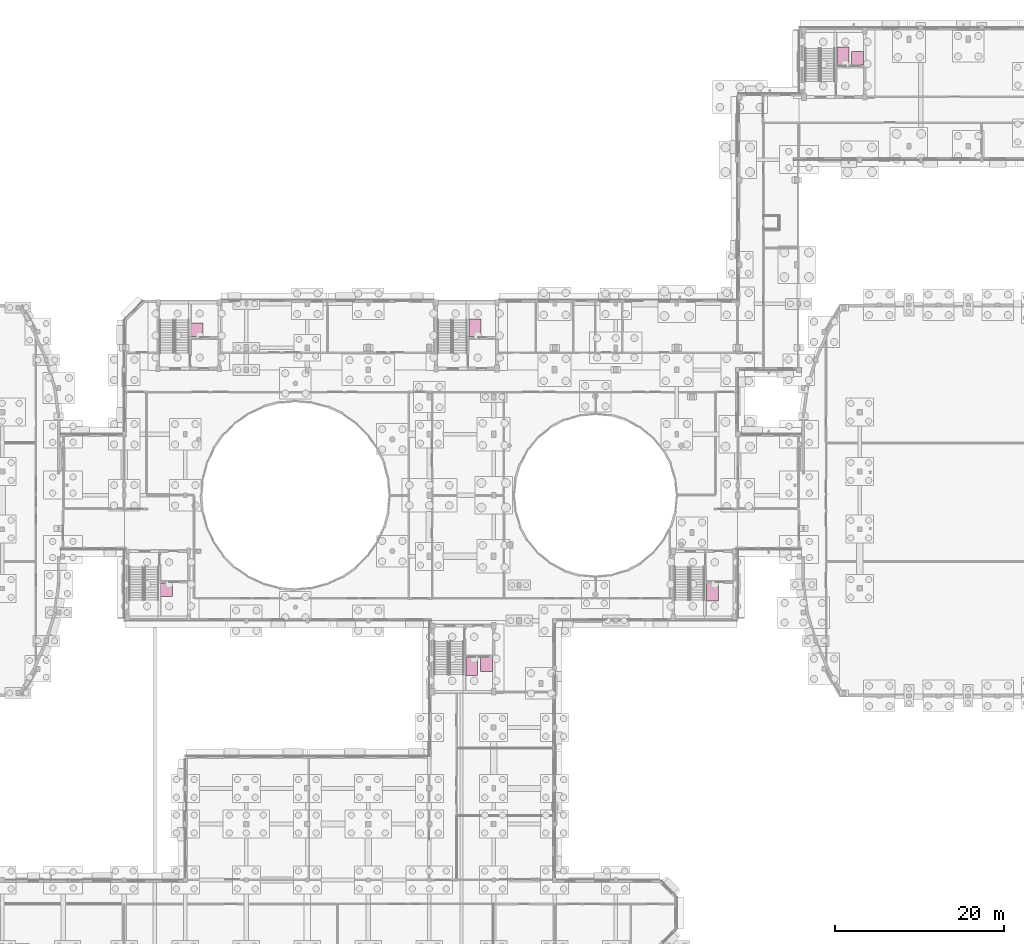
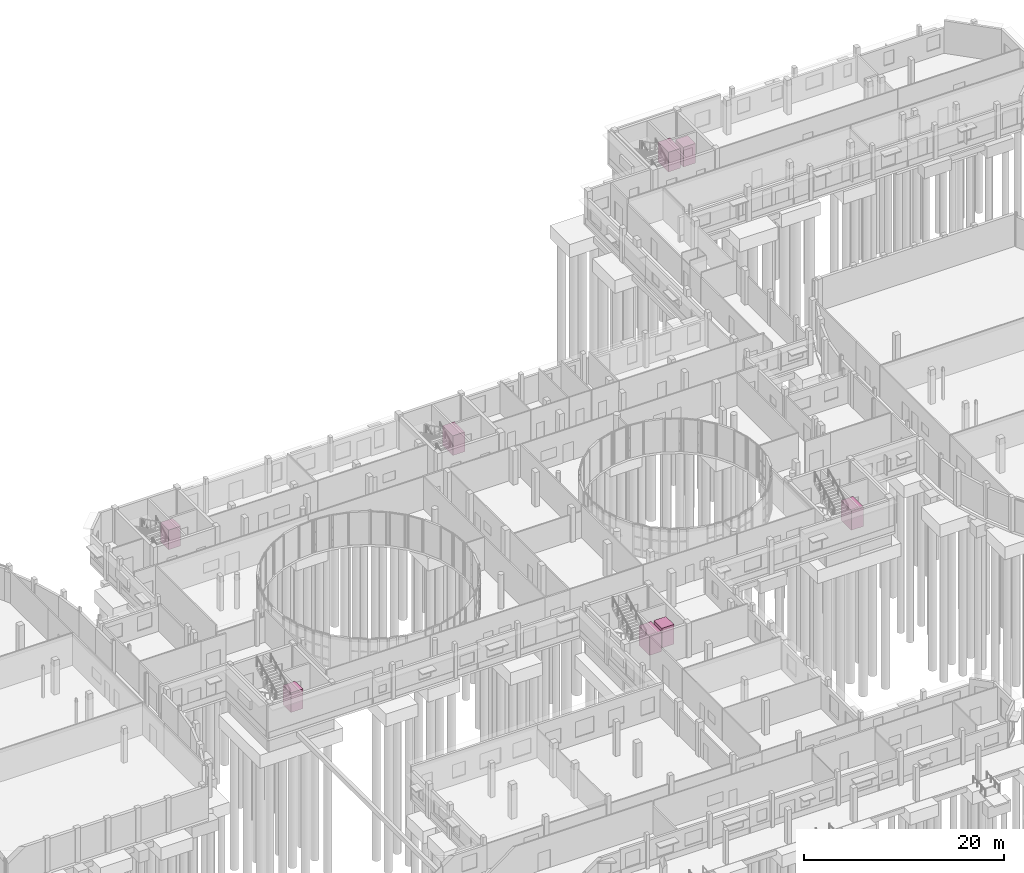
# One storey, part 93 of 93: 8 transport elements.
"""IFC4 building model written with IfcOpenShell, lengths in metres."""

from ifc_helpers import new_model, si_unit, direction, frame, origin, origin_2d, place, context, subcontext, project, spatial, rectangle, extrude, material, type_object, element, save


model = new_model("IFC4")

# Units and contexts
model_context = context("Model", 3, precision=1e-05, world=origin(), true_north=direction((0.0, 1.0)))
body_context = subcontext(model_context, "Body", "Model", "MODEL_VIEW")
ifc_project = project(units=[si_unit("LENGTHUNIT", "METRE"), si_unit("AREAUNIT", "SQUARE_METRE"), si_unit("VOLUMEUNIT", "CUBIC_METRE"), si_unit("PLANEANGLEUNIT", "RADIAN"), si_unit("MASSUNIT", "GRAM", prefix="KILO")], contexts=[model_context])

# Site, building, storey
site_placement = place(None, origin())
site = spatial("IfcSite", under=ifc_project, at=site_placement, CompositionType="ELEMENT")
building_placement = place(site_placement, origin())
building = spatial("IfcBuilding", under=site, at=building_placement, Name="Kelanivale Promenade Academy", CompositionType="ELEMENT")
storey_placement = place(building_placement, origin())
storey = spatial("IfcBuildingStorey", under=building, at=storey_placement, Name="L00", CompositionType="ELEMENT", Elevation=0.0)

# Transport elements
ifc_material = material(Name="Brushed stainless steel lift car enclosure", Category="steel")
transport_element_type_1 = type_object("IfcTransportElementType", Name="LFT-FF Firefighting Lift 1000kg", PredefinedType="ELEVATOR", material=ifc_material)
for number, where, z_axis, x_axis, name in (
    (1, (84.205078125, 36.574951171875, 0.0), (0.0, 0.0, 1.0), (1.0, 0.0, 0.0), "Firefighting Lift LF-FF1"),
    (2, (84.60498046875, 76.574951171875, 0.0), (0.0, 0.0, 1.0), (1.0, 0.0, 0.0), "Firefighting Lift LF-FF2"),
    (3, (112.60498046875, 45.375, 0.0), (0.0, 0.0, 1.0), (1.0, 0.0, 0.0), "Firefighting Lift LF-FF3"),
    (4, (128.0048828125, 108.625, 0.0), (0.0, 0.0, 1.0), (1.0, 0.0, 0.0), "Firefighting Lift LF-FF4"),
):
    element("IfcTransportElement", number, at=place(storey_placement, frame(where, z_axis=z_axis, x_axis=x_axis)), inside=storey, type_object=transport_element_type_1, Name=name, PredefinedType="ELEVATOR", context=body_context, shape_type="SweptSolid", body=[
        extrude(rectangle(XDim=1.39990234375, YDim=2.10009765625, at=origin_2d()), origin(), (0.0, 0.0, 1.0), 2.39990234375),
    ])
transport_element_type_2 = type_object("IfcTransportElementType", Name="LFT-PA Accessible Passenger Lift 1000kg", PredefinedType="ELEVATOR", material=ifc_material)
for number, where, z_axis, x_axis, name in (
    (5, (85.93505859375, 36.824951171875, 0.0), (0.0, 0.0, 1.0), (1.0, 0.0, 0.0), "Passenger Lift LF-P1"),
    (6, (51.784912109375, 76.324951171875, 0.0), (0.0, 0.0, 1.0), (1.0, 0.0, 0.0), "Passenger Lift LF-P2"),
    (7, (129.735107421875, 108.375, 0.0), (0.0, 0.0, 1.0), (1.0, 0.0, 0.0), "Passenger Lift LF-P3"),
    (8, (48.18505859375, 45.625, 0.0), (0.0, 0.0, 1.0), (1.0, 0.0, 0.0), "Passenger Lift LF-P4"),
):
    element("IfcTransportElement", number, at=place(storey_placement, frame(where, z_axis=z_axis, x_axis=x_axis)), inside=storey, type_object=transport_element_type_2, Name=name, PredefinedType="ELEVATOR", context=body_context, shape_type="SweptSolid", body=[
        extrude(rectangle(XDim=1.39990234375, YDim=1.60009765625, at=origin_2d()), origin(), (0.0, 0.0, 1.0), 2.39990234375),
    ])

save(model, "model.ifc")
